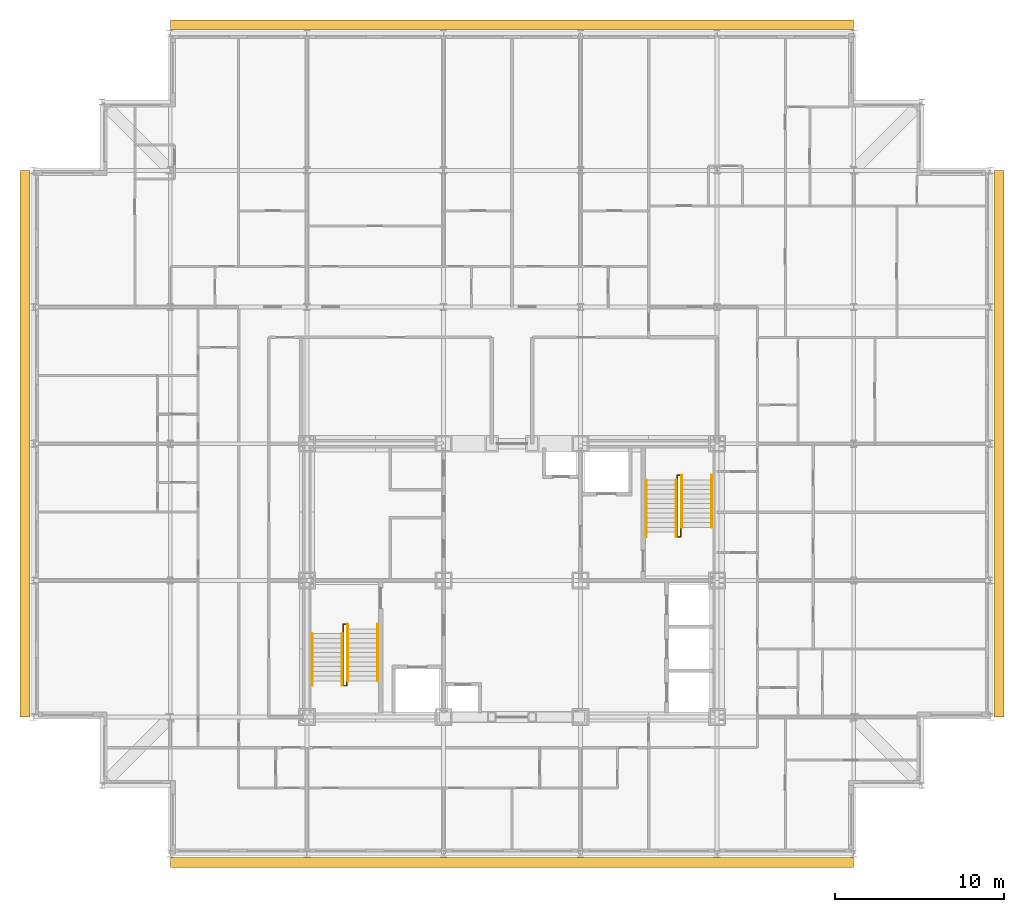
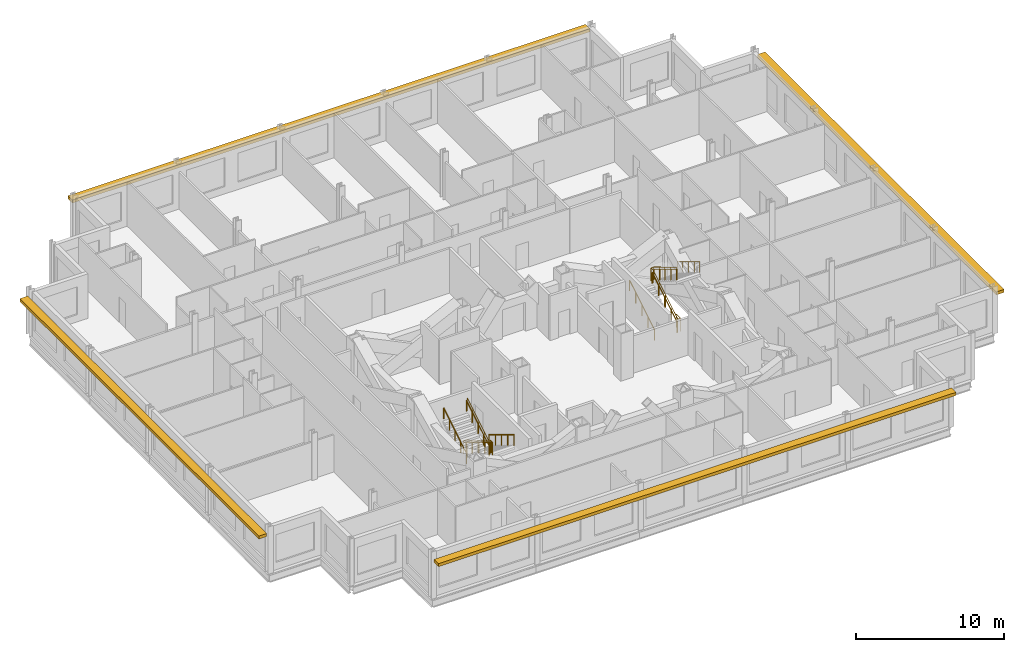
# One storey, part 15 of 15: 10 railings, 4 shading devices.
"""IFC4 building model written with IfcOpenShell, lengths in metres."""

import ifcopenshell
import ifcopenshell.guid

model = None  # the IFC model being written
_history = None  # IfcOwnerHistory: only IFC2X3 demands one
_inside = {}  # id of a spatial element -> (the spatial element, [elements in it])
_under = {}  # id of a project, library or spatial element -> (it, [spatial elements below it])
_declared = {}  # id of a project -> (the project, [libraries it declares])
_typed = {}  # id of a type object -> (the type object, [elements of that type])
_made_of = {}  # id of a material, layer set ... -> (it, [elements and type objects made of it])


def new_model(schema):
    """Start an empty IFC model of exactly this schema.

    Asked for "IFC4X3", IfcOpenShell would pick the latest addendum, in which some entities
    have other attributes; the version numbers below select the first issue.
    IFC2X3 requires an IfcOwnerHistory on every rooted entity: one is made here for all.
    """
    global model, _history
    if schema == "IFC4X3":
        model = ifcopenshell.file(schema_version=(4, 3, 0, 0))
    else:
        model = ifcopenshell.file(schema=schema)
    _inside.clear()
    _under.clear()
    _declared.clear()
    _typed.clear()
    _made_of.clear()
    _history = None
    if model.schema == "IFC2X3":
        org = make("IfcOrganization", Name="unknown")
        user = make(
            "IfcPersonAndOrganization",
            ThePerson=make("IfcPerson", FamilyName="unknown"),
            TheOrganization=org,
        )
        app = make(
            "IfcApplication",
            ApplicationDeveloper=org,
            Version="unknown",
            ApplicationFullName="unknown",
            ApplicationIdentifier="unknown",
        )
        _history = make(
            "IfcOwnerHistory",
            OwningUser=user,
            OwningApplication=app,
            ChangeAction="ADDED",
            CreationDate=0,
        )
    return model


def make(cls, **values):
    """One entity of the class cls with the attributes given. An attribute that is None is left unset."""
    return model.create_entity(
        cls, **{name: value for name, value in values.items() if value is not None}
    )


def rooted(cls, **values):
    """An entity with a GlobalId (a new one), such as an element, a storey or a relation."""
    return make(cls, GlobalId=ifcopenshell.guid.new(), OwnerHistory=_history, **values)


def si_unit(unit_type, name, prefix=None):
    """IfcSIUnit, for example si_unit("LENGTHUNIT", "METRE", prefix="MILLI")."""
    return make("IfcSIUnit", UnitType=unit_type, Prefix=prefix, Name=name)


def assignment(units):
    """IfcUnitAssignment: the units of a project."""
    return None if units is None else make("IfcUnitAssignment", Units=units)


def point(xyz):
    """IfcCartesianPoint."""
    return None if xyz is None else make("IfcCartesianPoint", Coordinates=xyz)


def direction(xyz):
    """IfcDirection."""
    return None if xyz is None else make("IfcDirection", DirectionRatios=xyz)


def frame(location, z_axis=None, x_axis=None):
    """IfcAxis2Placement3D, a coordinate frame: its origin and axes. An axis left out is left unset."""
    return make(
        "IfcAxis2Placement3D",
        Location=point(location),
        Axis=direction(z_axis),
        RefDirection=direction(x_axis),
    )


def frame_2d(location, x_axis=None):
    """IfcAxis2Placement2D, a coordinate frame in the plane: its origin and x axis."""
    return make(
        "IfcAxis2Placement2D", Location=point(location), RefDirection=direction(x_axis)
    )


def origin():
    """The frame at (0, 0, 0) with its axes left unset."""
    return frame((0.0, 0.0, 0.0))


def origin_2d():
    """The frame at (0, 0) in the plane with its x axis left unset."""
    return frame_2d((0.0, 0.0))


def place(relative_to, where):
    """IfcLocalPlacement: puts the frame where relative to a parent placement (None: the world)."""
    return make(
        "IfcLocalPlacement", PlacementRelTo=relative_to, RelativePlacement=where
    )


def context(
    kind, dimensions, precision=None, world=None, true_north=None, identifier=None
):
    """IfcGeometricRepresentationContext, for example the 3D "Model" context."""
    return make(
        "IfcGeometricRepresentationContext",
        ContextIdentifier=identifier,
        ContextType=kind,
        CoordinateSpaceDimension=dimensions,
        Precision=precision,
        WorldCoordinateSystem=world,
        TrueNorth=true_north,
    )


def subcontext(parent, identifier, kind, view, scale=None):
    """IfcGeometricRepresentationSubContext, for example "Body" below "Model"."""
    return make(
        "IfcGeometricRepresentationSubContext",
        ContextIdentifier=identifier,
        ContextType=kind,
        ParentContext=parent,
        TargetScale=scale,
        TargetView=view,
    )


def project(units=None, contexts=None):
    """IfcProject with its units and contexts."""
    return rooted(
        "IfcProject",
        Name="project",
        RepresentationContexts=contexts,
        UnitsInContext=assignment(units),
    )


def spatial(cls, under=None, at=None, **own):
    """A site, building, storey or space (cls), placed at a placement, below another one or the project."""
    s = rooted(cls, ObjectPlacement=at, **own)
    if under is not None:
        _under.setdefault(under.id(), (under, []))[1].append(s)
    return s


def profile(cls, at=None, kind="AREA", **sizes):
    """A parametric profile (cls). Its sizes go by their IFC names, for example OverallWidth=200.0."""
    return make(cls, ProfileType=kind, Position=at, **sizes)


def rectangle(**sizes):
    """IfcRectangleProfileDef."""
    return profile("IfcRectangleProfileDef", **sizes)


def circle(**sizes):
    """IfcCircleProfileDef."""
    return profile("IfcCircleProfileDef", **sizes)


def extrude(swept, where, along, depth):
    """IfcExtrudedAreaSolid: the profile swept, set in the frame where, extruded along a direction by depth."""
    return make(
        "IfcExtrudedAreaSolid",
        SweptArea=swept,
        Position=where,
        ExtrudedDirection=direction(along),
        Depth=depth,
    )


def shape(context_of_items, identifier, shape_type, items):
    """IfcShapeRepresentation: the items that make up one representation, for example the "Body"."""
    return make(
        "IfcShapeRepresentation",
        ContextOfItems=context_of_items,
        RepresentationIdentifier=identifier,
        RepresentationType=shape_type,
        Items=items,
    )


def material(Name=None, Category=None):
    """IfcMaterial."""
    return make("IfcMaterial", Name=Name, Category=Category)


def made_of(thing, what):
    """Note that an element or type object is made of a material, layer set ...; save() writes the relation."""
    if what is not None:
        _made_of.setdefault(what.id(), (what, []))[1].append(thing)
    return thing


def type_object(cls, material=None, **own):
    """A type object (cls), such as IfcWallType, which elements share."""
    return made_of(rooted(cls, **own), material)


def element(
    cls,
    number,
    at=None,
    inside=None,
    cuts=None,
    type_object=None,
    material=None,
    context=None,
    identifier="Body",
    shape_type=None,
    held_by="IfcProductDefinitionShape",
    body=None,
    shapes=None,
    **own,
):
    """One element of the class cls, such as IfcWall. Its Tag is "e" and its number.

    at: its placement. inside: the storey or other place that contains it. cuts: it is an
    opening in that element (IfcRelVoidsElement). A single representation is given by context,
    identifier, shape_type and body (its items); several are given by shapes. held_by: the class
    of the entity that holds the representations. save() writes the other relations.
    """
    e = rooted(cls, Tag="e%d" % number, ObjectPlacement=at, **own)
    if body is not None:
        shapes = [shape(context, identifier, shape_type, body)]
    if shapes is not None:
        e.Representation = make(held_by, Representations=shapes)
    if inside is not None:
        _inside.setdefault(inside.id(), (inside, []))[1].append(e)
    if cuts is not None:
        rooted(
            "IfcRelVoidsElement", RelatingBuildingElement=cuts, RelatedOpeningElement=e
        )
    if type_object is not None:
        _typed.setdefault(type_object.id(), (type_object, []))[1].append(e)
    return made_of(e, material)


def aggregate(whole, parts):
    """IfcRelAggregates: a whole, such as a stair, and the parts it consists of."""
    return rooted("IfcRelAggregates", RelatingObject=whole, RelatedObjects=parts)


def save(model, path):
    """Write the relations noted so far, then the file.

    IfcRelAggregates (storeys below a building ...), IfcRelContainedInSpatialStructure (elements
    in a storey), IfcRelDefinesByType, IfcRelAssociatesMaterial and IfcRelDeclares: one each for
    every whole, place, type object, material and project.
    """
    for whole, parts in _under.values():
        aggregate(whole, parts)
    for where, things in _inside.values():
        rooted(
            "IfcRelContainedInSpatialStructure",
            RelatedElements=things,
            RelatingStructure=where,
        )
    for kind, things in _typed.values():
        rooted("IfcRelDefinesByType", RelatedObjects=things, RelatingType=kind)
    for what, things in _made_of.values():
        rooted("IfcRelAssociatesMaterial", RelatedObjects=things, RelatingMaterial=what)
    for by, libraries in _declared.values():
        rooted("IfcRelDeclares", RelatingContext=by, RelatedDefinitions=libraries)
    model.write(path)


model = new_model("IFC4")

# Units and contexts
model_context = context("Model", 3, precision=1e-05, world=origin(), true_north=direction((0.0, 1.0)))
body_context = subcontext(model_context, "Body", "Model", "MODEL_VIEW")
ifc_project = project(units=[si_unit("LENGTHUNIT", "METRE"), si_unit("AREAUNIT", "SQUARE_METRE"), si_unit("VOLUMEUNIT", "CUBIC_METRE"), si_unit("PLANEANGLEUNIT", "RADIAN"), si_unit("MASSUNIT", "GRAM", prefix="KILO")], contexts=[model_context])

# Site, building, storey
site_placement = place(None, origin())
site = spatial("IfcSite", under=ifc_project, at=site_placement, CompositionType="ELEMENT")
building_placement = place(site_placement, origin())
building = spatial("IfcBuilding", under=site, at=building_placement, Name="Kopane Lantern Tower", CompositionType="ELEMENT")
storey_placement = place(building_placement, frame((0.0, 0.0, 285.300048828125)))
storey = spatial("IfcBuildingStorey", under=building, at=storey_placement, Name="L73", CompositionType="ELEMENT", Elevation=285.300048828125)

# Railings
ifc_material_1 = material(Name="Steel", Category="steel")
railing_type_1 = type_object("IfcRailingType", Name="STAIR GUARD 1100", PredefinedType="GUARDRAIL", material=ifc_material_1)
railing_1_placement = place(storey_placement, frame((18.35009765625, 29.25, 0.0)))
element("IfcRailing", 1, at=railing_1_placement, inside=storey, type_object=railing_type_1, Name="ST1 well guard L73", PredefinedType="GUARDRAIL", context=body_context, shape_type="SweptSolid", body=[
    extrude(circle(Radius=0.02392578125, at=origin_2d()), frame((0.0, 0.0, 1.076171875), z_axis=(0.0, 1.0, 0.0), x_axis=(-1.0, 0.0, 0.0)), (0.0, 0.0, 1.0), 0.56005859375),
    extrude(circle(Radius=0.02392578125, at=origin_2d()), frame((0.0, 0.56005859375, 1.076171875), z_axis=(1.0, 0.0, 0.0), x_axis=(0.0, 1.0, 0.0)), (0.0, 0.0, 1.0), 0.199951171875),
    extrude(circle(Radius=0.02392578125, at=origin_2d()), frame((0.199951171875, 0.56005859375, 1.076171875), z_axis=(0.0, -0.85539645441, 0.517973846621), x_axis=(1.0, 0.0, 0.0)), (0.0, 0.0, 1.0), 3.92822265625),
    extrude(circle(Radius=0.02392578125, at=origin_2d()), frame((0.199951171875, -2.800048828125, 3.11083984375), z_axis=(0.0, -1.0, 0.0), x_axis=(1.0, 0.0, 0.0)), (0.0, 0.0, 1.0), 0.280029296875),
    extrude(circle(Radius=0.02392578125, at=origin_2d()), frame((0.199951171875, -3.080078125, 3.11083984375), z_axis=(-1.0, 0.0, 0.0), x_axis=(0.0, -1.0, 0.0)), (0.0, 0.0, 1.0), 0.199951171875),
    extrude(circle(Radius=0.02392578125, at=origin_2d()), frame((0.0, -3.080078125, 3.11083984375), z_axis=(0.0, 0.855379917629, 0.518001154937), x_axis=(-1.0, 0.0, 0.0)), (0.0, 0.0, 1.0), 3.600830078125),
    extrude(circle(Radius=0.02099609375, at=origin_2d()), origin(), (0.0, 0.0, 1.0), 1.052001953125),
    extrude(circle(Radius=0.02099609375, at=origin_2d()), frame((0.0, 0.56005859375, 0.0)), (0.0, 0.0, 1.0), 1.052001953125),
    extrude(circle(Radius=0.02099609375, at=origin_2d()), frame((0.199951171875, 0.56005859375, 0.0)), (0.0, 0.0, 1.0), 1.052001953125),
    extrude(circle(Radius=0.02099609375, at=origin_2d()), frame((0.199951171875, -0.280029296875, 0.5087890625)), (0.0, 0.0, 1.0), 1.052001953125),
    extrude(circle(Radius=0.02099609375, at=origin_2d()), frame((0.199951171875, -1.1201171875, 1.017333984375)), (0.0, 0.0, 1.0), 1.052001953125),
    extrude(circle(Radius=0.02099609375, at=origin_2d()), frame((0.199951171875, -1.9599609375, 1.52587890625)), (0.0, 0.0, 1.0), 1.052001953125),
    extrude(circle(Radius=0.02099609375, at=origin_2d()), frame((0.199951171875, -2.800048828125, 2.03466796875)), (0.0, 0.0, 1.0), 1.052001953125),
    extrude(circle(Radius=0.02099609375, at=origin_2d()), frame((0.199951171875, -3.080078125, 2.03466796875)), (0.0, 0.0, 1.0), 1.052001953125),
    extrude(circle(Radius=0.02099609375, at=origin_2d()), frame((0.0, -3.080078125, 2.03466796875)), (0.0, 0.0, 1.0), 1.052001953125),
    extrude(circle(Radius=0.02099609375, at=origin_2d()), frame((0.0, -2.31005859375, 2.5009765625)), (0.0, 0.0, 1.0), 1.052001953125),
    extrude(circle(Radius=0.02099609375, at=origin_2d()), frame((0.0, -1.5400390625, 2.96728515625)), (0.0, 0.0, 1.0), 1.052001953125),
    extrude(circle(Radius=0.02099609375, at=origin_2d()), frame((0.0, -0.77001953125, 3.43359375)), (0.0, 0.0, 1.0), 1.052001953125),
    extrude(circle(Radius=0.02099609375, at=origin_2d()), frame((0.0, 0.0, 3.89990234375)), (0.0, 0.0, 1.0), 1.052001953125),
])
railing_2_placement = place(storey_placement, frame((38.35009765625, 35.550048828125, 0.0)))
element("IfcRailing", 2, at=railing_2_placement, inside=storey, type_object=railing_type_1, Name="ST2 well guard L73", PredefinedType="GUARDRAIL", context=body_context, shape_type="SweptSolid", body=[
    extrude(circle(Radius=0.02392578125, at=origin_2d()), frame((0.0, 0.0, 1.076171875), z_axis=(0.0, -1.0, 0.0), x_axis=(1.0, 0.0, 0.0)), (0.0, 0.0, 1.0), 0.56005859375),
    extrude(circle(Radius=0.02392578125, at=origin_2d()), frame((0.0, -0.56005859375, 1.076171875), z_axis=(-1.0, 0.0, 0.0), x_axis=(0.0, -1.0, 0.0)), (0.0, 0.0, 1.0), 0.2001953125),
    extrude(circle(Radius=0.02392578125, at=origin_2d()), frame((-0.2001953125, -0.56005859375, 1.076171875), z_axis=(0.0, 0.85539645441, 0.517973846621), x_axis=(-1.0, 0.0, 0.0)), (0.0, 0.0, 1.0), 3.92822265625),
    extrude(circle(Radius=0.02392578125, at=origin_2d()), frame((-0.2001953125, 2.800048828125, 3.11083984375), z_axis=(0.0, 1.0, 0.0), x_axis=(-1.0, 0.0, 0.0)), (0.0, 0.0, 1.0), 0.27978515625),
    extrude(circle(Radius=0.02392578125, at=origin_2d()), frame((-0.2001953125, 3.079833984375, 3.11083984375), z_axis=(1.0, 0.0, 0.0), x_axis=(0.0, 1.0, 0.0)), (0.0, 0.0, 1.0), 0.2001953125),
    extrude(circle(Radius=0.02392578125, at=origin_2d()), frame((0.0, 3.079833984375, 3.11083984375), z_axis=(0.0, -0.855361723277, 0.518031198243), x_axis=(1.0, 0.0, 0.0)), (0.0, 0.0, 1.0), 3.6005859375),
    extrude(circle(Radius=0.02099609375, at=origin_2d()), origin(), (0.0, 0.0, 1.0), 1.052001953125),
    extrude(circle(Radius=0.02099609375, at=origin_2d()), frame((0.0, -0.56005859375, 0.0)), (0.0, 0.0, 1.0), 1.052001953125),
    extrude(circle(Radius=0.02099609375, at=origin_2d()), frame((-0.2001953125, -0.56005859375, 0.0)), (0.0, 0.0, 1.0), 1.052001953125),
    extrude(circle(Radius=0.02099609375, at=origin_2d()), frame((-0.2001953125, 0.280029296875, 0.5087890625)), (0.0, 0.0, 1.0), 1.052001953125),
    extrude(circle(Radius=0.02099609375, at=origin_2d()), frame((-0.2001953125, 1.1201171875, 1.017333984375)), (0.0, 0.0, 1.0), 1.052001953125),
    extrude(circle(Radius=0.02099609375, at=origin_2d()), frame((-0.2001953125, 1.9599609375, 1.52587890625)), (0.0, 0.0, 1.0), 1.052001953125),
    extrude(circle(Radius=0.02099609375, at=origin_2d()), frame((-0.2001953125, 2.800048828125, 2.03466796875)), (0.0, 0.0, 1.0), 1.052001953125),
    extrude(circle(Radius=0.02099609375, at=origin_2d()), frame((-0.2001953125, 3.079833984375, 2.03466796875)), (0.0, 0.0, 1.0), 1.052001953125),
    extrude(circle(Radius=0.02099609375, at=origin_2d()), frame((0.0, 3.079833984375, 2.03466796875)), (0.0, 0.0, 1.0), 1.052001953125),
    extrude(circle(Radius=0.02099609375, at=origin_2d()), frame((0.0, 2.309814453125, 2.5009765625)), (0.0, 0.0, 1.0), 1.052001953125),
    extrude(circle(Radius=0.02099609375, at=origin_2d()), frame((0.0, 1.5400390625, 2.96728515625)), (0.0, 0.0, 1.0), 1.052001953125),
    extrude(circle(Radius=0.02099609375, at=origin_2d()), frame((0.0, 0.77001953125, 3.43359375)), (0.0, 0.0, 1.0), 1.052001953125),
    extrude(circle(Radius=0.02099609375, at=origin_2d()), frame((0.0, 0.0, 3.89990234375)), (0.0, 0.0, 1.0), 1.052001953125),
])
ifc_material_2 = material(Name="Steel", Category="steel")
railing_type_2 = type_object("IfcRailingType", Name="STAIR HANDRAIL 900", PredefinedType="HANDRAIL", material=ifc_material_2)
for number, where, name in (
    (3, (20.389892578125, 29.81005859375, 0.0), "ST1 handrail L73 flight 1"),
    (4, (18.610107421875, 29.81005859375, 0.0), "ST1 handrail L73 flight 1"),
):
    element("IfcRailing", number, at=place(storey_placement, frame(where)), inside=storey, type_object=railing_type_2, Name=name, PredefinedType="HANDRAIL", context=body_context, shape_type="SweptSolid", body=[
        extrude(circle(Radius=0.02392578125, at=origin_2d()), frame((0.0, 0.0, 0.8759765625), z_axis=(0.0, -0.85539645441, 0.517973846621), x_axis=(1.0, 0.0, 0.0)), (0.0, 0.0, 1.0), 3.92822265625),
        extrude(circle(Radius=0.02099609375, at=origin_2d()), origin(), (0.0, 0.0, 1.0), 0.851806640625),
        extrude(circle(Radius=0.02099609375, at=origin_2d()), frame((0.0, -0.840087890625, 0.5087890625)), (0.0, 0.0, 1.0), 0.851806640625),
        extrude(circle(Radius=0.02099609375, at=origin_2d()), frame((0.0, -1.68017578125, 1.017333984375)), (0.0, 0.0, 1.0), 0.851806640625),
        extrude(circle(Radius=0.02099609375, at=origin_2d()), frame((0.0, -2.52001953125, 1.52587890625)), (0.0, 0.0, 1.0), 0.851806640625),
        extrude(circle(Radius=0.02099609375, at=origin_2d()), frame((0.0, -3.360107421875, 2.03466796875)), (0.0, 0.0, 1.0), 0.851806640625),
    ])
for number, where, name in (
    (5, (16.510009765625, 26.169921875, 2.03466796875), "ST1 handrail L73 flight 2"),
    (6, (18.2900390625, 26.169921875, 2.03466796875), "ST1 handrail L73 flight 2"),
):
    element("IfcRailing", number, at=place(storey_placement, frame(where)), inside=storey, type_object=railing_type_2, Name=name, PredefinedType="HANDRAIL", context=body_context, shape_type="SweptSolid", body=[
        extrude(circle(Radius=0.02392578125, at=origin_2d()), frame((0.0, 0.0, 0.8759765625), z_axis=(0.0, 0.855379917629, 0.518001154937), x_axis=(-1.0, 0.0, 0.0)), (0.0, 0.0, 1.0), 3.600830078125),
        extrude(circle(Radius=0.02099609375, at=origin_2d()), origin(), (0.0, 0.0, 1.0), 0.851806640625),
        extrude(circle(Radius=0.02099609375, at=origin_2d()), frame((0.0, 0.77001953125, 0.46630859375)), (0.0, 0.0, 1.0), 0.851806640625),
        extrude(circle(Radius=0.02099609375, at=origin_2d()), frame((0.0, 1.5400390625, 0.9326171875)), (0.0, 0.0, 1.0), 0.851806640625),
        extrude(circle(Radius=0.02099609375, at=origin_2d()), frame((0.0, 2.31005859375, 1.39892578125)), (0.0, 0.0, 1.0), 0.851806640625),
        extrude(circle(Radius=0.02099609375, at=origin_2d()), frame((0.0, 3.080078125, 1.865234375)), (0.0, 0.0, 1.0), 0.851806640625),
    ])
for number, where, name in (
    (7, (36.31005859375, 34.989990234375, 0.0), "ST2 handrail L73 flight 1"),
    (8, (38.090087890625, 34.989990234375, 0.0), "ST2 handrail L73 flight 1"),
):
    element("IfcRailing", number, at=place(storey_placement, frame(where)), inside=storey, type_object=railing_type_2, Name=name, PredefinedType="HANDRAIL", context=body_context, shape_type="SweptSolid", body=[
        extrude(circle(Radius=0.02392578125, at=origin_2d()), frame((0.0, 0.0, 0.8759765625), z_axis=(0.0, 0.85539645441, 0.517973846621), x_axis=(-1.0, 0.0, 0.0)), (0.0, 0.0, 1.0), 3.92822265625),
        extrude(circle(Radius=0.02099609375, at=origin_2d()), origin(), (0.0, 0.0, 1.0), 0.851806640625),
        extrude(circle(Radius=0.02099609375, at=origin_2d()), frame((0.0, 0.840087890625, 0.5087890625)), (0.0, 0.0, 1.0), 0.851806640625),
        extrude(circle(Radius=0.02099609375, at=origin_2d()), frame((0.0, 1.68017578125, 1.017333984375)), (0.0, 0.0, 1.0), 0.851806640625),
        extrude(circle(Radius=0.02099609375, at=origin_2d()), frame((0.0, 2.52001953125, 1.52587890625)), (0.0, 0.0, 1.0), 0.851806640625),
        extrude(circle(Radius=0.02099609375, at=origin_2d()), frame((0.0, 3.360107421875, 2.03466796875)), (0.0, 0.0, 1.0), 0.851806640625),
    ])
for number, where, name in (
    (9, (40.18994140625, 38.6298828125, 2.03466796875), "ST2 handrail L73 flight 2"),
    (10, (38.409912109375, 38.6298828125, 2.03466796875), "ST2 handrail L73 flight 2"),
):
    element("IfcRailing", number, at=place(storey_placement, frame(where)), inside=storey, type_object=railing_type_2, Name=name, PredefinedType="HANDRAIL", context=body_context, shape_type="SweptSolid", body=[
        extrude(circle(Radius=0.02392578125, at=origin_2d()), frame((0.0, 0.0, 0.8759765625), z_axis=(0.0, -0.855361723277, 0.518031198243), x_axis=(1.0, 0.0, 0.0)), (0.0, 0.0, 1.0), 3.6005859375),
        extrude(circle(Radius=0.02099609375, at=origin_2d()), origin(), (0.0, 0.0, 1.0), 0.851806640625),
        extrude(circle(Radius=0.02099609375, at=origin_2d()), frame((0.0, -0.77001953125, 0.46630859375)), (0.0, 0.0, 1.0), 0.851806640625),
        extrude(circle(Radius=0.02099609375, at=origin_2d()), frame((0.0, -1.5400390625, 0.9326171875)), (0.0, 0.0, 1.0), 0.851806640625),
        extrude(circle(Radius=0.02099609375, at=origin_2d()), frame((0.0, -2.309814453125, 1.39892578125)), (0.0, 0.0, 1.0), 0.851806640625),
        extrude(circle(Radius=0.02099609375, at=origin_2d()), frame((0.0, -3.079833984375, 1.865234375)), (0.0, 0.0, 1.0), 0.851806640625),
    ])

# Shading devices
ifc_material_3 = material(Name="Terracotta rainscreen on light steel framing", Category="masonry")
shading_device_type = type_object("IfcShadingDeviceType", Name="SUNSHADE BAND SB1 600 TERRACOTTA", PredefinedType="USERDEFINED", material=ifc_material_3)
shading_device_1_placement = place(storey_placement, frame((28.35009765625, 15.6904296875, 3.0), z_axis=(0.0, 0.0, 1.0), x_axis=(1.0, 0.0, 0.0)))
element("IfcShadingDevice", 11, at=shading_device_1_placement, inside=storey, type_object=shading_device_type, Name="Sunshade band S L73", ObjectType="SUNSHADE BAND", PredefinedType="USERDEFINED", context=body_context, shape_type="SweptSolid", body=[
    extrude(rectangle(XDim=40.5, YDim=0.60009765625, at=origin_2d()), origin(), (0.0, 0.0, 1.0), 0.25),
])
shading_device_2_placement = place(storey_placement, frame((57.20361328125, 40.5, 3.0), z_axis=(0.0, 0.0, 1.0), x_axis=(0.0, 1.0, 0.0)))
element("IfcShadingDevice", 12, at=shading_device_2_placement, inside=storey, type_object=shading_device_type, Name="Sunshade band E L73", ObjectType="SUNSHADE BAND", PredefinedType="USERDEFINED", context=body_context, shape_type="SweptSolid", body=[
    extrude(rectangle(XDim=32.39990234375, YDim=0.60009765625, at=origin_2d()), origin(), (0.0, 0.0, 1.0), 0.25),
])
shading_device_3_placement = place(storey_placement, frame((28.35009765625, 65.3095703125, 3.0), z_axis=(0.0, 0.0, 1.0), x_axis=(-1.0, 0.0, 0.0)))
element("IfcShadingDevice", 13, at=shading_device_3_placement, inside=storey, type_object=shading_device_type, Name="Sunshade band N L73", ObjectType="SUNSHADE BAND", PredefinedType="USERDEFINED", context=body_context, shape_type="SweptSolid", body=[
    extrude(rectangle(XDim=40.5, YDim=0.60009765625, at=origin_2d()), origin(), (0.0, 0.0, 1.0), 0.25),
])
shading_device_4_placement = place(storey_placement, frame((-0.50341796875, 40.5, 3.0), z_axis=(0.0, 0.0, 1.0), x_axis=(0.0, -1.0, 0.0)))
element("IfcShadingDevice", 14, at=shading_device_4_placement, inside=storey, type_object=shading_device_type, Name="Sunshade band W L73", ObjectType="SUNSHADE BAND", PredefinedType="USERDEFINED", context=body_context, shape_type="SweptSolid", body=[
    extrude(rectangle(XDim=32.39990234375, YDim=0.60009765625, at=origin_2d()), origin(), (0.0, 0.0, 1.0), 0.25),
])

save(model, "model.ifc")
